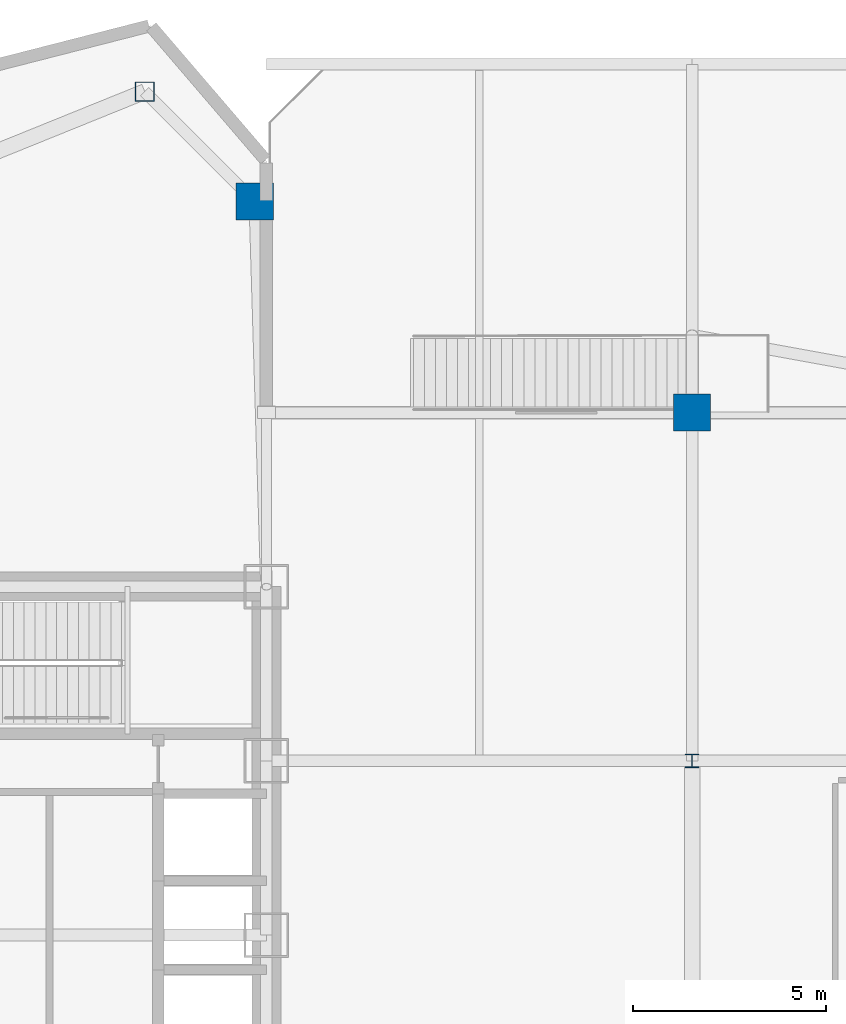
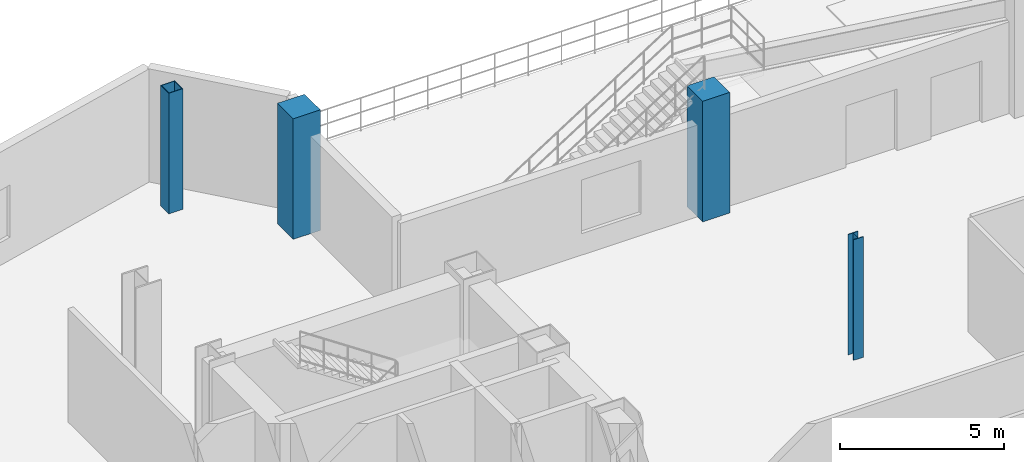
# One storey, part 4 of 27: 4 columns.
"""IFC4 building model written with IfcOpenShell, lengths in metres."""

from ifc_helpers import new_model, si_unit, direction, frame, origin, origin_2d, place, context, subcontext, project, spatial, rectangle, hollow_rectangle, i_section, extrude, source, transform, mapped, material, material_profile, profile_set, type_object, type_shapes, element, save


model = new_model("IFC4")

# Units and contexts
model_context = context("Model", 3, precision=1e-05, world=origin(), true_north=direction((0.0, 1.0)))
body_context = subcontext(model_context, "Body", "Model", "MODEL_VIEW")
ifc_project = project(units=[si_unit("LENGTHUNIT", "METRE"), si_unit("AREAUNIT", "SQUARE_METRE"), si_unit("VOLUMEUNIT", "CUBIC_METRE"), si_unit("PLANEANGLEUNIT", "RADIAN"), si_unit("MASSUNIT", "GRAM", prefix="KILO")], contexts=[model_context])

# Site, building, storey
site_placement = place(None, origin())
site = spatial("IfcSite", under=ifc_project, at=site_placement, CompositionType="ELEMENT")
building_placement = place(site_placement, origin())
building = spatial("IfcBuilding", under=site, at=building_placement, Name="Seokmaru Belvedere", CompositionType="ELEMENT")
storey_placement = place(building_placement, frame((0.0, 0.0, 9.89990234375)))
storey = spatial("IfcBuildingStorey", under=building, at=storey_placement, Name="L02", CompositionType="ELEMENT", Elevation=9.89990234375)

# Columns
ifc_material_1 = material(Name="Steel SM355 (355 MPa)", Category="steel")
ifc_material_profile_1 = material_profile(ifc_material_1, hollow_rectangle(XDim=0.5, YDim=0.5, WallThickness=0.02001953125, at=origin_2d()), Name="HSS-500x500x20")
ifc_profile_set_1 = profile_set([ifc_material_profile_1], Name="Steel SM355 (355 MPa)")
column_type_1 = type_object("IfcColumnType", Name="Perimeter Facet Column HSS-500", PredefinedType="COLUMN", material=ifc_profile_set_1)
shared_shape_1 = source(origin(), body_context, "Body", "SweptSolid", [
    extrude(hollow_rectangle(XDim=0.5, YDim=0.5, WallThickness=0.02001953125, at=origin_2d()), origin(), (0.0, 0.0, 1.0), 4.5),
])
type_shapes(column_type_1, [shared_shape_1])
column_1_placement = place(storey_placement, frame((-30.643310546875, 26.294677734375, 0.0), z_axis=(0.0, 0.0, 1.0), x_axis=(1.0, 0.0, 0.0)))
element("IfcColumn", 1, at=column_1_placement, inside=storey, type_object=column_type_1, Name="L02 Column WF3", PredefinedType="COLUMN", context=body_context, shape_type="MappedRepresentation", body=[
    mapped(shared_shape_1, transform((0.0, 0.0, 0.0), scale=1.0)),
])
ifc_material_profile_2 = material_profile(ifc_material_1, i_section(OverallWidth=0.35009765625, OverallDepth=0.35009765625, WebThickness=0.011962890625, FlangeThickness=0.01904296875, at=origin_2d()), Name="H-350x350x12x19")
ifc_profile_set_2 = profile_set([ifc_material_profile_2], Name="Steel SM355 (355 MPa)")
column_type_2 = type_object("IfcColumnType", Name="Podium Gallery Column H-350", PredefinedType="COLUMN", material=ifc_profile_set_2)
shared_shape_2 = source(origin(), body_context, "Body", "SweptSolid", [
    extrude(i_section(OverallWidth=0.35009765625, OverallDepth=0.35009765625, WebThickness=0.011962890625, FlangeThickness=0.01904296875, at=origin_2d()), origin(), (0.0, 0.0, 1.0), 4.5),
])
type_shapes(column_type_2, [shared_shape_2])
column_2_placement = place(storey_placement, frame((-16.5, 9.0, 0.0), z_axis=(0.0, 0.0, 1.0), x_axis=(1.0, 0.0, 0.0)))
element("IfcColumn", 2, at=column_2_placement, inside=storey, type_object=column_type_2, Name="L02 Column CP1_4", PredefinedType="COLUMN", context=body_context, shape_type="MappedRepresentation", body=[
    mapped(shared_shape_2, transform((0.0, 0.0, 0.0), scale=1.0)),
])
ifc_material_2 = material(Name="Concrete C50 (50 MPa)", Category="concrete")
ifc_material_profile_3 = material_profile(ifc_material_2, rectangle(XDim=0.9599609375, YDim=0.9599609375, at=origin_2d()), Name="RC-960x960")
ifc_profile_set_3 = profile_set([ifc_material_profile_3], Name="Concrete C50 (50 MPa)")
column_type_3 = type_object("IfcColumnType", Name="Upper Podium Terrace Column RC-960", PredefinedType="COLUMN", material=ifc_profile_set_3)
shared_shape_3 = source(origin(), body_context, "Body", "SweptSolid", [
    extrude(rectangle(XDim=0.9599609375, YDim=0.9599609375, at=origin_2d()), origin(), (0.0, 0.0, 1.0), 4.5),
])
type_shapes(column_type_3, [shared_shape_3])
for number, where, z_axis, x_axis, name in (
    (3, (-27.800048828125, 23.451416015625, 0.0), (0.0, 0.0, 1.0), (1.0, 0.0, 0.0), "L02 Column WPM_N"),
    (4, (-16.5, 18.0, 0.0), (0.0, 0.0, 1.0), (1.0, 0.0, 0.0), "L02 Column CP1_5"),
):
    element("IfcColumn", number, at=place(storey_placement, frame(where, z_axis=z_axis, x_axis=x_axis)), inside=storey, type_object=column_type_3, Name=name, PredefinedType="COLUMN", context=body_context, shape_type="MappedRepresentation", body=[
        mapped(shared_shape_3, transform((0.0, 0.0, 0.0), scale=1.0)),
    ])

save(model, "model.ifc")
